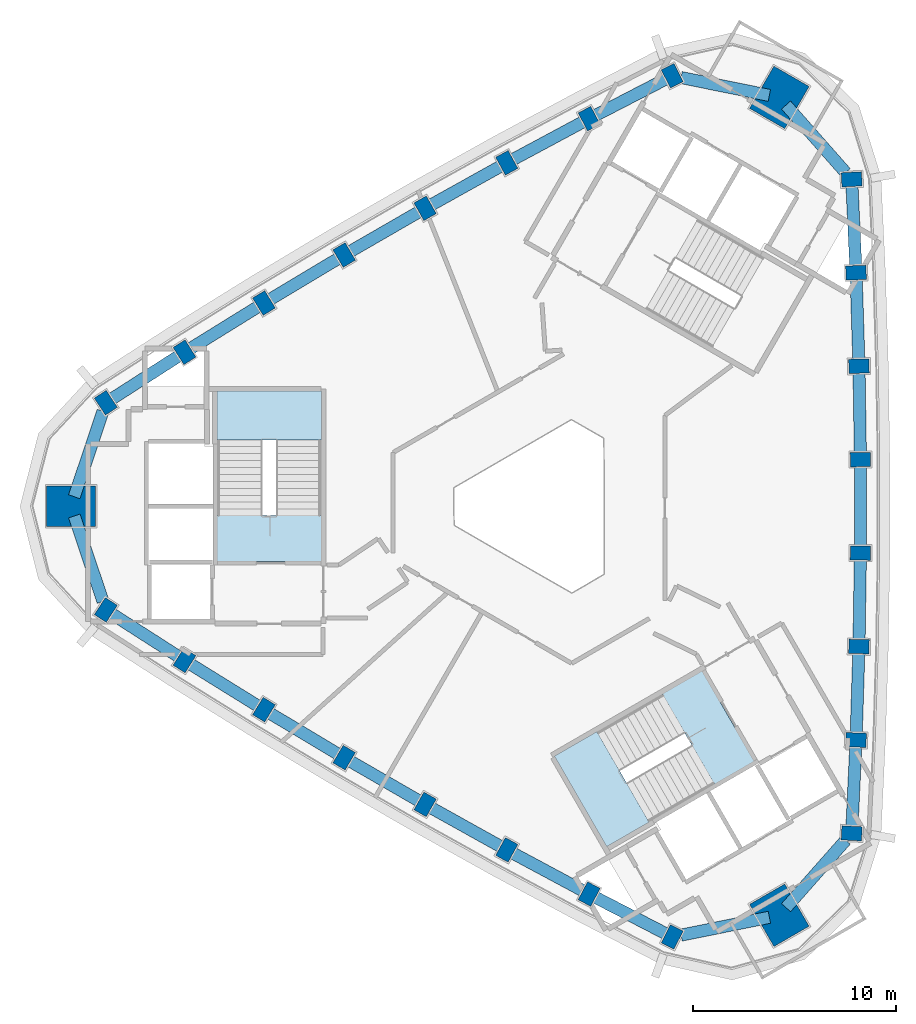
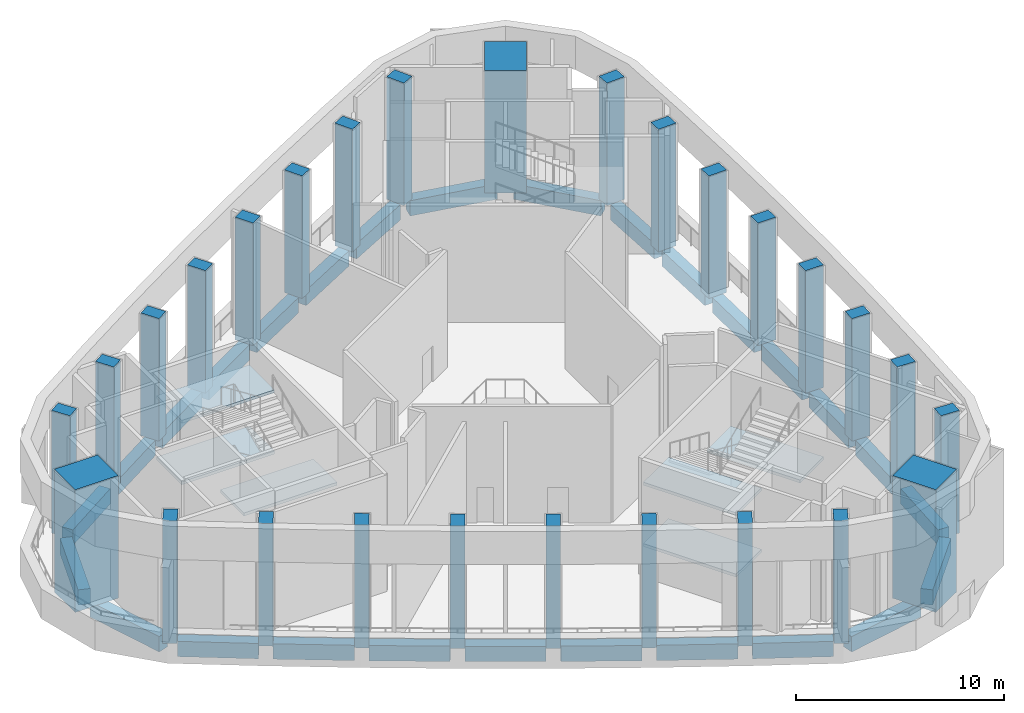
# One storey, part 1 of 8: 27 beams, 27 columns, 6 slabs, 2 elements without a shape of their own.
"""IFC4 building model written with IfcOpenShell, lengths in metres."""

from ifc_helpers import new_model, si_unit, direction, frame, origin, origin_2d, place, context, subcontext, project, spatial, polyline, rectangle, outline, extrude, material, layer, layer_set, material_profile, profile_set, type_object, element, aggregate, save


model = new_model("IFC4")

# Units and contexts
model_context = context("Model", 3, precision=1e-05, world=origin(), true_north=direction((0.0, 1.0)))
body_context = subcontext(model_context, "Body", "Model", "MODEL_VIEW")
ifc_project = project(units=[si_unit("LENGTHUNIT", "METRE"), si_unit("AREAUNIT", "SQUARE_METRE"), si_unit("VOLUMEUNIT", "CUBIC_METRE"), si_unit("PLANEANGLEUNIT", "RADIAN"), si_unit("MASSUNIT", "GRAM", prefix="KILO")], contexts=[model_context])

# Site, building, storey
site_placement = place(None, origin())
site = spatial("IfcSite", under=ifc_project, at=site_placement, CompositionType="ELEMENT")
building_placement = place(site_placement, origin())
building = spatial("IfcBuilding", under=site, at=building_placement, Name="Tamra Quay Hotel Tower", CompositionType="ELEMENT")
storey_placement = place(building_placement, frame((0.0, 0.0, 283.800048828125)))
storey = spatial("IfcBuildingStorey", under=building, at=storey_placement, Name="L72", CompositionType="ELEMENT", Elevation=283.800048828125)

# Columns
ifc_material_1 = material(Name="Concrete M70", Category="concrete")
ifc_material_profile_1 = material_profile(ifc_material_1, rectangle(XDim=1.0, YDim=0.699951171875, at=origin_2d()), Name="COLUMN RC 700x1000 Z6")
ifc_profile_set_1 = profile_set([ifc_material_profile_1], Name="Concrete M70")
column_type_1 = type_object("IfcColumnType", Name="COLUMN RC 700x1000 Z6", PredefinedType="COLUMN", material=ifc_profile_set_1)
for number, where, z_axis, x_axis, name in (
    (1, (15.202392578125, -16.116943359375, -0.35009765625), (0.0, 0.0, 1.0), (-0.998490919119, 0.05491706873, 0.0), "COL-C6E01-L72"),
    (2, (15.418212890625, -11.51513671875, -0.35009765625), (0.0, 0.0, 1.0), (-0.999251212442, 0.03869127076, 0.0), "COL-C6E02-L72"),
    (3, (15.56201171875, -6.909912109375, -0.35009765625), (0.0, 0.0, 1.0), (-0.999717847188, 0.023753442163, 0.0), "COL-C6E03-L72"),
    (4, (15.634033203125, -2.303466796875, -0.35009765625), (0.0, 0.0, 1.0), (-0.999968634555, 0.007920221337, 0.0), "COL-C6E04-L72"),
    (5, (15.634033203125, 2.303466796875, -0.35009765625), (0.0, 0.0, 1.0), (0.999968634555, 0.007920221337, 0.0), "COL-C6E05-L72"),
    (6, (15.56201171875, 6.909912109375, -0.35009765625), (0.0, 0.0, 1.0), (0.999717847188, 0.023753442163, 0.0), "COL-C6E06-L72"),
    (7, (15.418212890625, 11.51513671875, -0.35009765625), (0.0, 0.0, 1.0), (0.999251212442, 0.03869127076, 0.0), "COL-C6E07-L72"),
    (8, (15.202392578125, 16.116943359375, -0.35009765625), (0.0, 0.0, 1.0), (0.998490919119, 0.05491706873, 0.0), "COL-C6E08-L72"),
    (9, (6.3564453125, 21.22412109375, -0.35009765625), (0.0, 0.0, 1.0), (-0.451685882938, 0.89217703577, 0.0), "COL-C6NW01-L72"),
    (10, (2.26318359375, 19.110107421875, -0.35009765625), (0.0, 0.0, 1.0), (-0.466117982839, 0.884722570117, 0.0), "COL-C6NW02-L72"),
    (11, (-1.796875, 16.93212890625, -0.35009765625), (0.0, 0.0, 1.0), (-0.479287839253, 0.877657773363, 0.0), "COL-C6NW03-L72"),
    (12, (-5.822265625, 14.69140625, -0.35009765625), (0.0, 0.0, 1.0), (-0.493125204396, 0.869958351181, 0.0), "COL-C6NW04-L72"),
    (13, (-9.81201171875, 12.3876953125, -0.35009765625), (0.0, 0.0, 1.0), (-0.506843430159, 0.862038129844, 0.0), "COL-C6NW05-L72"),
    (14, (-13.765380859375, 10.022216796875, -0.35009765625), (0.0, 0.0, 1.0), (-0.520430007934, 0.8539043312, 0.0), "COL-C6NW06-L72"),
    (15, (-17.681396484375, 7.594970703125, -0.35009765625), (0.0, 0.0, 1.0), (-0.533133229604, 0.846031299357, 0.0), "COL-C6NW07-L72"),
    (16, (-21.558837890625, 5.107421875, -0.35009765625), (0.0, 0.0, 1.0), (-0.546805036181, 0.83725996704, 0.0), "COL-C6NW08-L72"),
    (17, (-21.558837890625, -5.107421875, -0.35009765625), (0.0, 0.0, 1.0), (0.546805036181, 0.83725996704, 0.0), "COL-C6SW01-L72"),
    (18, (-17.681396484375, -7.594970703125, -0.35009765625), (0.0, 0.0, 1.0), (0.533133229604, 0.846031299357, 0.0), "COL-C6SW02-L72"),
    (19, (-13.765380859375, -10.022216796875, -0.35009765625), (0.0, 0.0, 1.0), (0.520430007934, 0.8539043312, 0.0), "COL-C6SW03-L72"),
    (20, (-9.81201171875, -12.3876953125, -0.35009765625), (0.0, 0.0, 1.0), (0.506843430159, 0.862038129844, 0.0), "COL-C6SW04-L72"),
    (21, (-5.822265625, -14.69140625, -0.35009765625), (0.0, 0.0, 1.0), (0.493125204396, 0.869958351181, 0.0), "COL-C6SW05-L72"),
    (22, (-1.796875, -16.93212890625, -0.35009765625), (0.0, 0.0, 1.0), (0.479287839253, 0.877657773363, 0.0), "COL-C6SW06-L72"),
    (23, (2.26318359375, -19.110107421875, -0.35009765625), (0.0, 0.0, 1.0), (0.466117982839, 0.884722570117, 0.0), "COL-C6SW07-L72"),
    (24, (6.3564453125, -21.22412109375, -0.35009765625), (0.0, 0.0, 1.0), (0.451685882938, 0.89217703577, 0.0), "COL-C6SW08-L72"),
):
    element("IfcColumn", number, at=place(storey_placement, frame(where, z_axis=z_axis, x_axis=x_axis)), inside=storey, type_object=column_type_1, Name=name, PredefinedType="COLUMN", context=body_context, shape_type="SweptSolid", body=[
        extrude(rectangle(XDim=1.0, YDim=0.699951171875, at=origin_2d()), origin(), (0.0, 0.0, 1.0), 7.199951171875),
    ])
ifc_material_profile_2 = material_profile(ifc_material_1, rectangle(XDim=2.39990234375, YDim=2.0, at=origin_2d()), Name="MEGA COLUMN RC 2000x2400 Z6")
ifc_profile_set_2 = profile_set([ifc_material_profile_2], Name="Concrete M70")
column_type_2 = type_object("IfcColumnType", Name="MEGA COLUMN RC 2000x2400 Z6", PredefinedType="COLUMN", material=ifc_profile_set_2)
for number, where, z_axis, x_axis, name in (
    (25, (11.63671875, 20.1552734375, -0.35009765625), (0.0, 0.0, 1.0), (0.5, 0.866025403784, 0.0), "COL-M6NE-L72"),
    (26, (-23.2734375, 0.0, -0.35009765625), (0.0, 0.0, 1.0), (1.0, 0.0, 0.0), "COL-M6W-L72"),
    (27, (11.63671875, -20.1552734375, -0.35009765625), (0.0, 0.0, 1.0), (-0.5, 0.866025403784, 0.0), "COL-M6SE-L72"),
):
    element("IfcColumn", number, at=place(storey_placement, frame(where, z_axis=z_axis, x_axis=x_axis)), inside=storey, type_object=column_type_2, Name=name, PredefinedType="COLUMN", context=body_context, shape_type="SweptSolid", body=[
        extrude(rectangle(XDim=2.39990234375, YDim=2.0, at=origin_2d()), origin(), (0.0, 0.0, 1.0), 7.199951171875),
    ])

# Beams
ifc_material_2 = material(Name="Concrete M60", Category="concrete")
ifc_material_profile_3 = material_profile(ifc_material_2, rectangle(XDim=0.60009765625, YDim=0.89990234375, at=origin_2d()), Name="SPANDREL BEAM RC 600x900")
ifc_profile_set_3 = profile_set([ifc_material_profile_3], Name="Concrete M60")
beam_type = type_object("IfcBeamType", Name="SPANDREL BEAM RC 600x900", PredefinedType="SPANDREL", material=ifc_profile_set_3)
beam_1_placement = place(storey_placement, frame((15.218994140625, -15.767333984375, -0.800048828125), z_axis=(0.04680507522, 0.998904041905, 0.0), x_axis=(-0.998904041905, 0.04680507522, 0.0)))
element("IfcBeam", 28, at=beam_1_placement, inside=storey, type_object=beam_type, Name="BM-SP6-000-L72", PredefinedType="SPANDREL", context=body_context, shape_type="SweptSolid", body=[
    extrude(rectangle(XDim=0.60009765625, YDim=0.89990234375, at=origin_2d()), origin(), (0.0, 0.0, 1.0), 3.906982421875),
])
beam_2_placement = place(storey_placement, frame((15.42919921875, -11.165283203125, -0.800048828125), z_axis=(0.031240604276, 0.999511893198, 0.0), x_axis=(-0.999511893198, 0.031240604276, 0.0)))
element("IfcBeam", 29, at=beam_2_placement, inside=storey, type_object=beam_type, Name="BM-SP6-001-L72", PredefinedType="SPANDREL", context=body_context, shape_type="SweptSolid", body=[
    extrude(rectangle(XDim=0.60009765625, YDim=0.89990234375, at=origin_2d()), origin(), (0.0, 0.0, 1.0), 3.907470703125),
])
beam_3_placement = place(storey_placement, frame((15.567626953125, -6.559814453125, -0.800048828125), z_axis=(0.015623093001, 0.999877952035, 0.0), x_axis=(-0.999877952035, 0.015623093001, 0.0)))
element("IfcBeam", 30, at=beam_3_placement, inside=storey, type_object=beam_type, Name="BM-SP6-002-L72", PredefinedType="SPANDREL", context=body_context, shape_type="SweptSolid", body=[
    extrude(rectangle(XDim=0.60009765625, YDim=0.89990234375, at=origin_2d()), origin(), (0.0, 0.0, 1.0), 3.90673828125),
])
beam_4_placement = place(storey_placement, frame((15.634033203125, -1.95361328125, -0.800048828125), z_axis=(0.0, 1.0, 0.0), x_axis=(-1.0, 0.0, 0.0)))
element("IfcBeam", 31, at=beam_4_placement, inside=storey, type_object=beam_type, Name="BM-SP6-003-L72", PredefinedType="SPANDREL", context=body_context, shape_type="SweptSolid", body=[
    extrude(rectangle(XDim=0.60009765625, YDim=0.89990234375, at=origin_2d()), origin(), (0.0, 0.0, 1.0), 3.9072265625),
])
beam_5_placement = place(storey_placement, frame((15.628662109375, 2.653564453125, -0.800048828125), z_axis=(-0.015623093001, 0.999877952035, 0.0), x_axis=(-0.999877952035, -0.015623093001, 0.0)))
element("IfcBeam", 32, at=beam_5_placement, inside=storey, type_object=beam_type, Name="BM-SP6-004-L72", PredefinedType="SPANDREL", context=body_context, shape_type="SweptSolid", body=[
    extrude(rectangle(XDim=0.60009765625, YDim=0.89990234375, at=origin_2d()), origin(), (0.0, 0.0, 1.0), 3.90673828125),
])
beam_6_placement = place(storey_placement, frame((15.55126953125, 7.259765625, -0.800048828125), z_axis=(-0.031240604276, 0.999511893198, 0.0), x_axis=(-0.999511893198, -0.031240604276, 0.0)))
element("IfcBeam", 33, at=beam_6_placement, inside=storey, type_object=beam_type, Name="BM-SP6-005-L72", PredefinedType="SPANDREL", context=body_context, shape_type="SweptSolid", body=[
    extrude(rectangle(XDim=0.60009765625, YDim=0.89990234375, at=origin_2d()), origin(), (0.0, 0.0, 1.0), 3.907470703125),
])
beam_7_placement = place(storey_placement, frame((15.40185546875, 11.86474609375, -0.800048828125), z_axis=(-0.04680507522, 0.998904041905, 0.0), x_axis=(-0.998904041905, -0.04680507522, 0.0)))
element("IfcBeam", 34, at=beam_7_placement, inside=storey, type_object=beam_type, Name="BM-SP6-006-L72", PredefinedType="SPANDREL", context=body_context, shape_type="SweptSolid", body=[
    extrude(rectangle(XDim=0.60009765625, YDim=0.89990234375, at=origin_2d()), origin(), (0.0, 0.0, 1.0), 3.906982421875),
])
beam_8_placement = place(storey_placement, frame((14.9072265625, 16.451171875, -0.800048828125), z_axis=(-0.661856103448, 0.749630908066, 0.0), x_axis=(-0.749630908066, -0.661856103448, 0.0)))
element("IfcBeam", 35, at=beam_8_placement, inside=storey, type_object=beam_type, Name="BM-SP6-007-L72", PredefinedType="SPANDREL", context=body_context, shape_type="SweptSolid", body=[
    extrude(rectangle(XDim=0.60009765625, YDim=0.89990234375, at=origin_2d()), origin(), (0.0, 0.0, 1.0), 4.44189453125),
])
beam_9_placement = place(storey_placement, frame((11.146728515625, 20.25439453125, -0.800048828125), z_axis=(-0.980114952618, 0.198430541133, 0.0), x_axis=(-0.198430541133, -0.980114952618, 0.0)))
element("IfcBeam", 36, at=beam_9_placement, inside=storey, type_object=beam_type, Name="BM-SP6-008-L72", PredefinedType="SPANDREL", context=body_context, shape_type="SweptSolid", body=[
    extrude(rectangle(XDim=0.60009765625, YDim=0.89990234375, at=origin_2d()), origin(), (0.0, 0.0, 1.0), 4.441650390625),
])
beam_10_placement = place(storey_placement, frame((6.04541015625, 21.063720703125, -0.800048828125), z_axis=(-0.888476019227, -0.458923047208, 0.0), x_axis=(0.458923047208, -0.888476019227, 0.0)))
element("IfcBeam", 37, at=beam_10_placement, inside=storey, type_object=beam_type, Name="BM-SP6-009-L72", PredefinedType="SPANDREL", context=body_context, shape_type="SweptSolid", body=[
    extrude(rectangle(XDim=0.60009765625, YDim=0.89990234375, at=origin_2d()), origin(), (0.0, 0.0, 1.0), 3.906982421875),
])
beam_11_placement = place(storey_placement, frame((1.954833984375, 18.944580078125, -0.800048828125), z_axis=(-0.88123835064, -0.472672158437, 0.0), x_axis=(0.472672158437, -0.88123835064, 0.0)))
element("IfcBeam", 38, at=beam_11_placement, inside=storey, type_object=beam_type, Name="BM-SP6-010-L72", PredefinedType="SPANDREL", context=body_context, shape_type="SweptSolid", body=[
    extrude(rectangle(XDim=0.60009765625, YDim=0.89990234375, at=origin_2d()), origin(), (0.0, 0.0, 1.0), 3.907470703125),
])
for number, where, z_axis, x_axis, name in (
    (39, (-2.102783203125, 16.761962890625, -0.800048828125), (-0.873726581477, -0.486417373066, 0.0), (0.486417373066, -0.873726581477, 0.0), "BM-SP6-011-L72"),
    (40, (-6.125244140625, 14.516357421875, -0.800048828125), (-0.866011803689, -0.500023555316, 0.0), (0.500023555316, -0.866011803689, 0.0), "BM-SP6-012-L72"),
):
    element("IfcBeam", number, at=place(storey_placement, frame(where, z_axis=z_axis, x_axis=x_axis)), inside=storey, type_object=beam_type, Name=name, PredefinedType="SPANDREL", context=body_context, shape_type="SweptSolid", body=[
        extrude(rectangle(XDim=0.60009765625, YDim=0.89990234375, at=origin_2d()), origin(), (0.0, 0.0, 1.0), 3.906982421875),
    ])
beam_12_placement = place(storey_placement, frame((-10.1123046875, 12.2080078125, -0.800048828125), z_axis=(-0.858120821909, -0.513447811376, 0.0), x_axis=(0.513447811376, -0.858120821909, 0.0)))
element("IfcBeam", 41, at=beam_12_placement, inside=storey, type_object=beam_type, Name="BM-SP6-013-L72", PredefinedType="SPANDREL", context=body_context, shape_type="SweptSolid", body=[
    extrude(rectangle(XDim=0.60009765625, YDim=0.89990234375, at=origin_2d()), origin(), (0.0, 0.0, 1.0), 3.9072265625),
])
beam_13_placement = place(storey_placement, frame((-14.062744140625, 9.837890625, -0.800048828125), z_axis=(-0.849972078006, -0.526827739029, 0.0), x_axis=(0.526827739029, -0.849972078006, 0.0)))
element("IfcBeam", 42, at=beam_13_placement, inside=storey, type_object=beam_type, Name="BM-SP6-014-L72", PredefinedType="SPANDREL", context=body_context, shape_type="SweptSolid", body=[
    extrude(rectangle(XDim=0.60009765625, YDim=0.89990234375, at=origin_2d()), origin(), (0.0, 0.0, 1.0), 3.907470703125),
])
beam_14_placement = place(storey_placement, frame((-17.97607421875, 7.406005859375, -0.800048828125), z_axis=(-0.841679613882, -0.539977247276, 0.0), x_axis=(0.539977247276, -0.841679613882, 0.0)))
element("IfcBeam", 43, at=beam_14_placement, inside=storey, type_object=beam_type, Name="BM-SP6-015-L72", PredefinedType="SPANDREL", context=body_context, shape_type="SweptSolid", body=[
    extrude(rectangle(XDim=0.60009765625, YDim=0.89990234375, at=origin_2d()), origin(), (0.0, 0.0, 1.0), 3.906982421875),
])
for number, where, z_axis, x_axis, name in (
    (44, (-21.70068359375, 4.6845703125, -0.800048828125), (-0.318271531925, -0.947999594919, 0.0), (0.947999594919, -0.318271531925, 0.0), "BM-SP6-016-L72"),
    (45, (-23.114501953125, -0.473388671875, -0.800048828125), (0.318271531925, -0.947999594919, 0.0), (0.947999594919, 0.318271531925, 0.0), "BM-SP6-017-L72"),
):
    element("IfcBeam", number, at=place(storey_placement, frame(where, z_axis=z_axis, x_axis=x_axis)), inside=storey, type_object=beam_type, Name=name, PredefinedType="SPANDREL", context=body_context, shape_type="SweptSolid", body=[
        extrude(rectangle(XDim=0.60009765625, YDim=0.89990234375, at=origin_2d()), origin(), (0.0, 0.0, 1.0), 4.442138671875),
    ])
beam_15_placement = place(storey_placement, frame((-21.264404296875, -5.29638671875, -0.800048828125), z_axis=(0.841679613882, -0.539977247276, 0.0), x_axis=(0.539977247276, 0.841679613882, 0.0)))
element("IfcBeam", 46, at=beam_15_placement, inside=storey, type_object=beam_type, Name="BM-SP6-018-L72", PredefinedType="SPANDREL", context=body_context, shape_type="SweptSolid", body=[
    extrude(rectangle(XDim=0.60009765625, YDim=0.89990234375, at=origin_2d()), origin(), (0.0, 0.0, 1.0), 3.906982421875),
])
beam_16_placement = place(storey_placement, frame((-17.384033203125, -7.779296875, -0.800048828125), z_axis=(0.849972078006, -0.526827739029, 0.0), x_axis=(0.526827739029, 0.849972078006, 0.0)))
element("IfcBeam", 47, at=beam_16_placement, inside=storey, type_object=beam_type, Name="BM-SP6-019-L72", PredefinedType="SPANDREL", context=body_context, shape_type="SweptSolid", body=[
    extrude(rectangle(XDim=0.60009765625, YDim=0.89990234375, at=origin_2d()), origin(), (0.0, 0.0, 1.0), 3.907470703125),
])
beam_17_placement = place(storey_placement, frame((-13.465087890625, -10.201904296875, -0.800048828125), z_axis=(0.858120821909, -0.513447811376, 0.0), x_axis=(0.513447811376, 0.858120821909, 0.0)))
element("IfcBeam", 48, at=beam_17_placement, inside=storey, type_object=beam_type, Name="BM-SP6-020-L72", PredefinedType="SPANDREL", context=body_context, shape_type="SweptSolid", body=[
    extrude(rectangle(XDim=0.60009765625, YDim=0.89990234375, at=origin_2d()), origin(), (0.0, 0.0, 1.0), 3.9072265625),
])
for number, where, z_axis, x_axis, name in (
    (49, (-9.5087890625, -12.562744140625, -0.800048828125), (0.866011803689, -0.500023555316, 0.0), (0.500023555316, 0.866011803689, 0.0), "BM-SP6-021-L72"),
    (50, (-5.516357421875, -14.861572265625, -0.800048828125), (0.873726581477, -0.486417373066, 0.0), (0.486417373066, 0.873726581477, 0.0), "BM-SP6-022-L72"),
):
    element("IfcBeam", number, at=place(storey_placement, frame(where, z_axis=z_axis, x_axis=x_axis)), inside=storey, type_object=beam_type, Name=name, PredefinedType="SPANDREL", context=body_context, shape_type="SweptSolid", body=[
        extrude(rectangle(XDim=0.60009765625, YDim=0.89990234375, at=origin_2d()), origin(), (0.0, 0.0, 1.0), 3.906982421875),
    ])
beam_18_placement = place(storey_placement, frame((-1.488525390625, -17.09765625, -0.800048828125), z_axis=(0.88123835064, -0.472672158437, 0.0), x_axis=(0.472672158437, 0.88123835064, 0.0)))
element("IfcBeam", 51, at=beam_18_placement, inside=storey, type_object=beam_type, Name="BM-SP6-023-L72", PredefinedType="SPANDREL", context=body_context, shape_type="SweptSolid", body=[
    extrude(rectangle(XDim=0.60009765625, YDim=0.89990234375, at=origin_2d()), origin(), (0.0, 0.0, 1.0), 3.907470703125),
])
beam_19_placement = place(storey_placement, frame((2.57421875, -19.270751953125, -0.800048828125), z_axis=(0.888476019227, -0.458923047208, 0.0), x_axis=(0.458923047208, 0.888476019227, 0.0)))
element("IfcBeam", 52, at=beam_19_placement, inside=storey, type_object=beam_type, Name="BM-SP6-024-L72", PredefinedType="SPANDREL", context=body_context, shape_type="SweptSolid", body=[
    extrude(rectangle(XDim=0.60009765625, YDim=0.89990234375, at=origin_2d()), origin(), (0.0, 0.0, 1.0), 3.906982421875),
])
beam_20_placement = place(storey_placement, frame((6.79345703125, -21.1357421875, -0.800048828125), z_axis=(0.980114952618, 0.198430541133, 0.0), x_axis=(-0.198430541133, 0.980114952618, 0.0)))
element("IfcBeam", 53, at=beam_20_placement, inside=storey, type_object=beam_type, Name="BM-SP6-025-L72", PredefinedType="SPANDREL", context=body_context, shape_type="SweptSolid", body=[
    extrude(rectangle(XDim=0.60009765625, YDim=0.89990234375, at=origin_2d()), origin(), (0.0, 0.0, 1.0), 4.441650390625),
])
beam_21_placement = place(storey_placement, frame((11.96728515625, -19.781005859375, -0.800048828125), z_axis=(0.661856103448, 0.749630908066, 0.0), x_axis=(-0.749630908066, 0.661856103448, 0.0)))
element("IfcBeam", 54, at=beam_21_placement, inside=storey, type_object=beam_type, Name="BM-SP6-026-L72", PredefinedType="SPANDREL", context=body_context, shape_type="SweptSolid", body=[
    extrude(rectangle(XDim=0.60009765625, YDim=0.89990234375, at=origin_2d()), origin(), (0.0, 0.0, 1.0), 4.44189453125),
])

# Stair, slabs
ifc_material_3 = material(Name="Exit stair 2200 48 risers 150.0 going 342")
stair_type = type_object("IfcStairType", Name="Exit stair 2200 48 risers 150.0 going 342", PredefinedType="HALF_TURN_STAIR", material=ifc_material_3)
stair_1_placement = place(storey_placement, origin())
stair_1 = element("IfcStair", 55, at=stair_1_placement, inside=storey, type_object=stair_type, Name="L72 Exit stair ST3", PredefinedType="HALF_TURN_STAIR")
ifc_layer = layer(ifc_material_1, 0.175048828125)
ifc_layer_set = layer_set([ifc_layer], Name="Concrete M70 stair landing 180")
slab_type = type_object("IfcSlabType", Name="Concrete M70 stair landing 180", PredefinedType="LANDING", material=ifc_layer_set)
slab_1_placement = place(storey_placement, frame((0.0, 0.0, 1.625)))
slab_1 = element("IfcSlab", 56, at=slab_1_placement, type_object=slab_type, Name="ST3 landing 1", PredefinedType="LANDING", context=body_context, shape_type="SweptSolid", body=[
    extrude(outline(polyline([(-10.932373046875, 3.261962890625), (-10.932373046875, 5.679931640625), (-16.09130859375, 5.679931640625), (-16.09130859375, 3.261962890625), (-10.932373046875, 3.261962890625)])), origin(), (0.0, 0.0, 1.0), 0.175048828125),
])
slab_2_placement = place(storey_placement, frame((0.0, 0.0, 3.425048828125)))
slab_2 = element("IfcSlab", 57, at=slab_2_placement, type_object=slab_type, Name="ST3 landing 2", PredefinedType="LANDING", context=body_context, shape_type="SweptSolid", body=[
    extrude(outline(polyline([(-10.932373046875, -2.72998046875), (-10.932373046875, -0.460205078125), (-16.09130859375, -0.460205078125), (-16.09130859375, -2.72998046875), (-10.932373046875, -2.72998046875)])), origin(), (0.0, 0.0, 1.0), 0.1748046875),
])
slab_3_placement = place(storey_placement, frame((0.0, 0.0, 5.224853515625)))
slab_3 = element("IfcSlab", 58, at=slab_3_placement, type_object=slab_type, Name="ST3 landing 3", PredefinedType="LANDING", context=body_context, shape_type="SweptSolid", body=[
    extrude(outline(polyline([(-10.932373046875, 3.261962890625), (-10.932373046875, 5.679931640625), (-16.09130859375, 5.679931640625), (-16.09130859375, 3.261962890625), (-10.932373046875, 3.261962890625)])), origin(), (0.0, 0.0, 1.0), 0.175048828125),
])
aggregate(stair_1, [slab_1, slab_2, slab_3])

stair_2_placement = place(storey_placement, origin())
stair_2 = element("IfcStair", 59, at=stair_2_placement, inside=storey, type_object=stair_type, Name="L72 Exit stair ST2", PredefinedType="HALF_TURN_STAIR")
slab_4_placement = place(storey_placement, frame((0.0, 0.0, 1.625)))
slab_4 = element("IfcSlab", 60, at=slab_4_placement, type_object=slab_type, Name="ST2 landing 1", PredefinedType="LANDING", context=body_context, shape_type="SweptSolid", body=[
    extrude(outline(polyline([(2.641357421875, -11.0986328125), (0.547119140625, -12.3076171875), (3.126708984375, -16.775390625), (5.220703125, -15.56640625), (2.641357421875, -11.0986328125)])), origin(), (0.0, 0.0, 1.0), 0.175048828125),
])
slab_5_placement = place(storey_placement, frame((0.0, 0.0, 3.425048828125)))
slab_5 = element("IfcSlab", 61, at=slab_5_placement, type_object=slab_type, Name="ST2 landing 2", PredefinedType="LANDING", context=body_context, shape_type="SweptSolid", body=[
    extrude(outline(polyline([(7.83056640625, -8.1025390625), (5.864501953125, -9.237548828125), (8.444091796875, -13.705322265625), (10.409912109375, -12.5703125), (7.83056640625, -8.1025390625)])), origin(), (0.0, 0.0, 1.0), 0.1748046875),
])
slab_6_placement = place(storey_placement, frame((0.0, 0.0, 5.224853515625)))
slab_6 = element("IfcSlab", 62, at=slab_6_placement, type_object=slab_type, Name="ST2 landing 3", PredefinedType="LANDING", context=body_context, shape_type="SweptSolid", body=[
    extrude(outline(polyline([(2.641357421875, -11.0986328125), (0.547119140625, -12.3076171875), (3.126708984375, -16.775390625), (5.220703125, -15.56640625), (2.641357421875, -11.0986328125)])), origin(), (0.0, 0.0, 1.0), 0.175048828125),
])
aggregate(stair_2, [slab_4, slab_5, slab_6])

save(model, "model.ifc")
